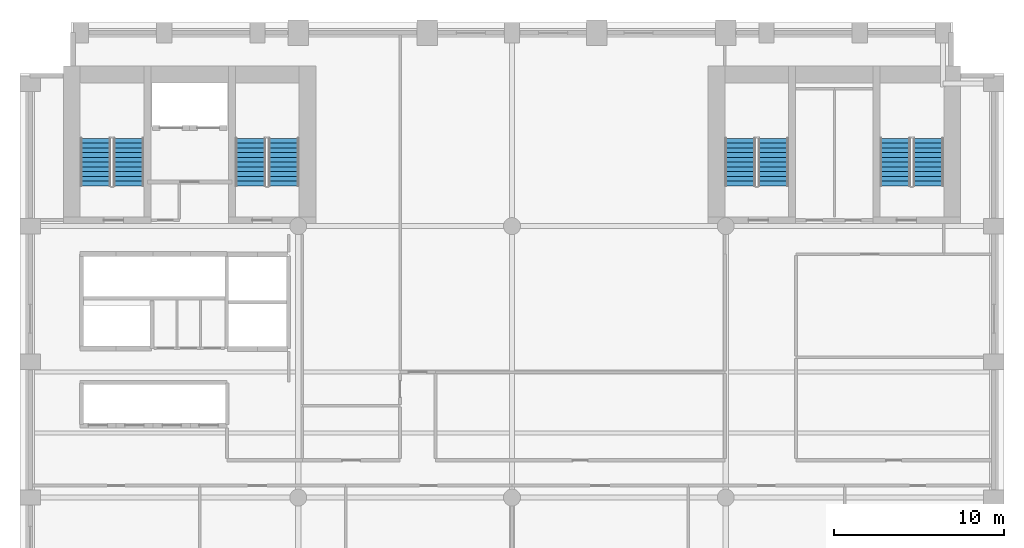
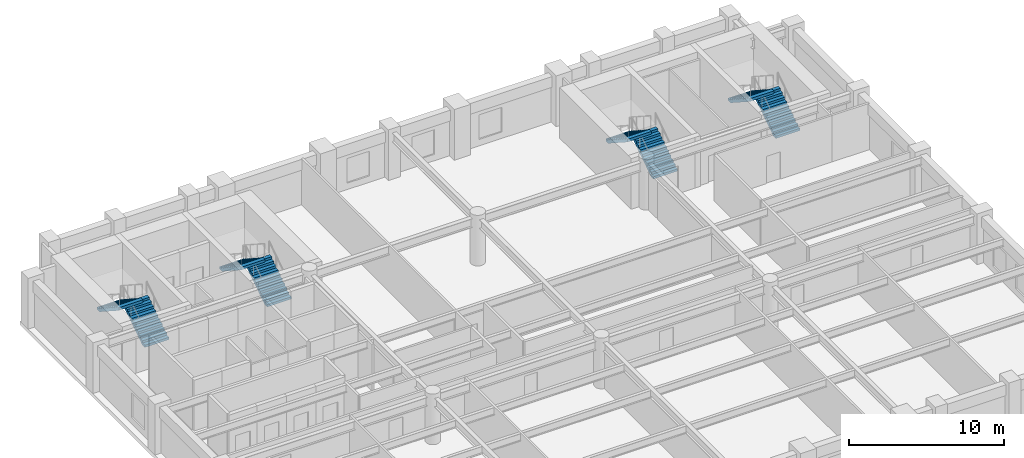
# One storey, part 6 of 8: 8 stair flights, 4 elements without a shape of their own.
"""IFC4 building model written with IfcOpenShell, lengths in metres."""

from ifc_helpers import new_model, si_unit, direction, frame, origin, place, context, subcontext, project, spatial, polyline, outline, extrude, material, type_object, element, aggregate, save


model = new_model("IFC4")

# Units and contexts
model_context = context("Model", 3, precision=1e-05, world=origin(), true_north=direction((0.0, 1.0)))
body_context = subcontext(model_context, "Body", "Model", "MODEL_VIEW")
ifc_project = project(units=[si_unit("LENGTHUNIT", "METRE"), si_unit("AREAUNIT", "SQUARE_METRE"), si_unit("VOLUMEUNIT", "CUBIC_METRE"), si_unit("PLANEANGLEUNIT", "RADIAN"), si_unit("MASSUNIT", "GRAM", prefix="KILO")], contexts=[model_context])

# Site, building, storey
site_placement = place(None, origin())
site = spatial("IfcSite", under=ifc_project, at=site_placement, CompositionType="ELEMENT")
building_placement = place(site_placement, origin())
building = spatial("IfcBuilding", under=site, at=building_placement, Name="Sulina Concourse Tower", CompositionType="ELEMENT")
storey_placement = place(building_placement, frame((0.0, 0.0, 78.60009765625)))
storey = spatial("IfcBuildingStorey", under=building, at=storey_placement, Name="L19", CompositionType="ELEMENT", Elevation=78.60009765625)

# Stair, stair flights
ifc_material_1 = material(Name="Concrete C50/60", Category="concrete")
stair_type_1 = type_object("IfcStairType", Name="Portal & Podium Core Exit Stair 1820mm", PredefinedType="HALF_TURN_STAIR", material=ifc_material_1)
stair_1_placement = place(storey_placement, origin())
stair_1 = element("IfcStair", 1, at=stair_1_placement, inside=storey, type_object=stair_type_1, Name="L19 ST-3", PredefinedType="HALF_TURN_STAIR")
ifc_material_2 = material(Name="Concrete C50/60", Category="concrete")
stair_flight_type_1 = type_object("IfcStairFlightType", Name="Portal & Podium Core Exit Stair 1820mm Flight", PredefinedType="STRAIGHT", material=ifc_material_2)
stair_flight_1_placement = place(storey_placement, frame((44.405029296875, 36.375, 0.0), z_axis=(0.0, 0.0, 1.0), x_axis=(0.0, 1.0, 0.0)))
stair_flight_1 = element("IfcStairFlight", 2, at=stair_flight_1_placement, type_object=stair_flight_type_1, Name="ST-3 flight 1", NumberOfRisers=11, NumberOfTreads=10, PredefinedType="STRAIGHT", RiserHeight=0.181818182, TreadLength=0.28, context=body_context, shape_type="SweptSolid", body=[
    extrude(outline(polyline([(0.0, 0.0), (0.0, 0.181884765625), (0.280029296875, 0.181884765625), (0.280029296875, 0.363525390625), (0.56005859375, 0.363525390625), (0.56005859375, 0.54541015625), (0.840087890625, 0.54541015625), (0.840087890625, 0.727294921875), (1.1201171875, 0.727294921875), (1.1201171875, 0.9091796875), (1.39990234375, 0.9091796875), (1.39990234375, 1.0908203125), (1.679931640625, 1.0908203125), (1.679931640625, 1.272705078125), (1.9599609375, 1.272705078125), (1.9599609375, 1.45458984375), (2.239990234375, 1.45458984375), (2.239990234375, 1.636474609375), (2.52001953125, 1.636474609375), (2.52001953125, 1.818115234375), (2.800048828125, 1.818115234375), (2.800048828125, 2.0), (2.800048828125, 1.603759765625), (0.330322265625, 0.0), (0.0, 0.0)])), frame((0.0, 0.89990234375, 0.0), z_axis=(0.0, -1.0, 0.0), x_axis=(1.0, 0.0, 0.0)), (0.0, 0.0, 1.0), 1.800048828125),
])
stair_flight_2_placement = place(storey_placement, frame((42.455078125, 39.175048828125, 2.0), z_axis=(0.0, 0.0, 1.0), x_axis=(0.0, -1.0, 0.0)))
stair_flight_2 = element("IfcStairFlight", 3, at=stair_flight_2_placement, type_object=stair_flight_type_1, Name="ST-3 flight 2", NumberOfRisers=11, NumberOfTreads=10, PredefinedType="STRAIGHT", RiserHeight=0.181818182, TreadLength=0.28, context=body_context, shape_type="SweptSolid", body=[
    extrude(outline(polyline([(0.0, 0.0), (0.0, 0.181884765625), (0.280029296875, 0.181884765625), (0.280029296875, 0.363525390625), (0.56005859375, 0.363525390625), (0.56005859375, 0.54541015625), (0.840087890625, 0.54541015625), (0.840087890625, 0.727294921875), (1.1201171875, 0.727294921875), (1.1201171875, 0.9091796875), (1.39990234375, 0.9091796875), (1.39990234375, 1.0908203125), (1.679931640625, 1.0908203125), (1.679931640625, 1.272705078125), (1.9599609375, 1.272705078125), (1.9599609375, 1.45458984375), (2.239990234375, 1.45458984375), (2.239990234375, 1.636474609375), (2.52001953125, 1.636474609375), (2.52001953125, 1.818115234375), (2.800048828125, 1.818115234375), (2.800048828125, 2.0), (2.800048828125, 1.603759765625), (0.330322265625, 0.0), (0.0, 0.0)])), frame((0.0, 0.89990234375, 0.0), z_axis=(0.0, -1.0, 0.0), x_axis=(1.0, 0.0, 0.0)), (0.0, 0.0, 1.0), 1.800048828125),
])
aggregate(stair_1, [stair_flight_1, stair_flight_2])

stair_2_placement = place(storey_placement, origin())
stair_2 = element("IfcStair", 4, at=stair_2_placement, inside=storey, type_object=stair_type_1, Name="L19 ST-4", PredefinedType="HALF_TURN_STAIR")
stair_flight_3_placement = place(storey_placement, frame((53.544921875, 36.375, 0.0), z_axis=(0.0, 0.0, 1.0), x_axis=(0.0, 1.0, 0.0)))
stair_flight_3 = element("IfcStairFlight", 5, at=stair_flight_3_placement, type_object=stair_flight_type_1, Name="ST-4 flight 1", NumberOfRisers=11, NumberOfTreads=10, PredefinedType="STRAIGHT", RiserHeight=0.181818182, TreadLength=0.28, context=body_context, shape_type="SweptSolid", body=[
    extrude(outline(polyline([(0.0, 0.0), (0.0, 0.181884765625), (0.280029296875, 0.181884765625), (0.280029296875, 0.363525390625), (0.56005859375, 0.363525390625), (0.56005859375, 0.54541015625), (0.840087890625, 0.54541015625), (0.840087890625, 0.727294921875), (1.1201171875, 0.727294921875), (1.1201171875, 0.9091796875), (1.39990234375, 0.9091796875), (1.39990234375, 1.0908203125), (1.679931640625, 1.0908203125), (1.679931640625, 1.272705078125), (1.9599609375, 1.272705078125), (1.9599609375, 1.45458984375), (2.239990234375, 1.45458984375), (2.239990234375, 1.636474609375), (2.52001953125, 1.636474609375), (2.52001953125, 1.818115234375), (2.800048828125, 1.818115234375), (2.800048828125, 2.0), (2.800048828125, 1.603759765625), (0.330322265625, 0.0), (0.0, 0.0)])), frame((0.0, 0.89990234375, 0.0), z_axis=(0.0, -1.0, 0.0), x_axis=(1.0, 0.0, 0.0)), (0.0, 0.0, 1.0), 1.800048828125),
])
stair_flight_4_placement = place(storey_placement, frame((51.594970703125, 39.175048828125, 2.0), z_axis=(0.0, 0.0, 1.0), x_axis=(0.0, -1.0, 0.0)))
stair_flight_4 = element("IfcStairFlight", 6, at=stair_flight_4_placement, type_object=stair_flight_type_1, Name="ST-4 flight 2", NumberOfRisers=11, NumberOfTreads=10, PredefinedType="STRAIGHT", RiserHeight=0.181818182, TreadLength=0.28, context=body_context, shape_type="SweptSolid", body=[
    extrude(outline(polyline([(0.0, 0.0), (0.0, 0.181884765625), (0.280029296875, 0.181884765625), (0.280029296875, 0.363525390625), (0.56005859375, 0.363525390625), (0.56005859375, 0.54541015625), (0.840087890625, 0.54541015625), (0.840087890625, 0.727294921875), (1.1201171875, 0.727294921875), (1.1201171875, 0.9091796875), (1.39990234375, 0.9091796875), (1.39990234375, 1.0908203125), (1.679931640625, 1.0908203125), (1.679931640625, 1.272705078125), (1.9599609375, 1.272705078125), (1.9599609375, 1.45458984375), (2.239990234375, 1.45458984375), (2.239990234375, 1.636474609375), (2.52001953125, 1.636474609375), (2.52001953125, 1.818115234375), (2.800048828125, 1.818115234375), (2.800048828125, 2.0), (2.800048828125, 1.603759765625), (0.330322265625, 0.0), (0.0, 0.0)])), frame((0.0, 0.89990234375, 0.0), z_axis=(0.0, -1.0, 0.0), x_axis=(1.0, 0.0, 0.0)), (0.0, 0.0, 1.0), 1.800048828125),
])
aggregate(stair_2, [stair_flight_3, stair_flight_4])

ifc_material_3 = material(Name="Concrete C50/60", Category="concrete")
stair_type_2 = type_object("IfcStairType", Name="Primary Core Dog-Leg Exit Stair 1800mm", PredefinedType="HALF_TURN_STAIR", material=ifc_material_3)
stair_3_placement = place(storey_placement, origin())
stair_3 = element("IfcStair", 7, at=stair_3_placement, inside=storey, type_object=stair_type_2, Name="L19 ST-1", PredefinedType="HALF_TURN_STAIR")
ifc_material_4 = material(Name="Concrete C50/60", Category="concrete")
stair_flight_type_2 = type_object("IfcStairFlightType", Name="Primary Core Dog-Leg Exit Stair 1800mm Flight", PredefinedType="STRAIGHT", material=ifc_material_4)
stair_flight_5_placement = place(storey_placement, frame((6.405029296875, 36.375, 0.0), z_axis=(0.0, 0.0, 1.0), x_axis=(0.0, 1.0, 0.0)))
stair_flight_5 = element("IfcStairFlight", 8, at=stair_flight_5_placement, type_object=stair_flight_type_2, Name="ST-1 flight 1", NumberOfRisers=11, NumberOfTreads=10, PredefinedType="STRAIGHT", RiserHeight=0.181818182, TreadLength=0.28, context=body_context, shape_type="SweptSolid", body=[
    extrude(outline(polyline([(0.0, 0.0), (0.0, 0.181884765625), (0.280029296875, 0.181884765625), (0.280029296875, 0.363525390625), (0.56005859375, 0.363525390625), (0.56005859375, 0.54541015625), (0.840087890625, 0.54541015625), (0.840087890625, 0.727294921875), (1.1201171875, 0.727294921875), (1.1201171875, 0.9091796875), (1.39990234375, 0.9091796875), (1.39990234375, 1.0908203125), (1.679931640625, 1.0908203125), (1.679931640625, 1.272705078125), (1.9599609375, 1.272705078125), (1.9599609375, 1.45458984375), (2.239990234375, 1.45458984375), (2.239990234375, 1.636474609375), (2.52001953125, 1.636474609375), (2.52001953125, 1.818115234375), (2.800048828125, 1.818115234375), (2.800048828125, 2.0), (2.800048828125, 1.603759765625), (0.330322265625, 0.0), (0.0, 0.0)])), frame((0.0, 0.89990234375, 0.0), z_axis=(0.0, -1.0, 0.0), x_axis=(1.0, 0.0, 0.0)), (0.0, 0.0, 1.0), 1.800048828125),
])
stair_flight_6_placement = place(storey_placement, frame((4.455078125, 39.175048828125, 2.0), z_axis=(0.0, 0.0, 1.0), x_axis=(0.0, -1.0, 0.0)))
stair_flight_6 = element("IfcStairFlight", 9, at=stair_flight_6_placement, type_object=stair_flight_type_2, Name="ST-1 flight 2", NumberOfRisers=11, NumberOfTreads=10, PredefinedType="STRAIGHT", RiserHeight=0.181818182, TreadLength=0.28, context=body_context, shape_type="SweptSolid", body=[
    extrude(outline(polyline([(0.0, 0.0), (0.0, 0.181884765625), (0.280029296875, 0.181884765625), (0.280029296875, 0.363525390625), (0.56005859375, 0.363525390625), (0.56005859375, 0.54541015625), (0.840087890625, 0.54541015625), (0.840087890625, 0.727294921875), (1.1201171875, 0.727294921875), (1.1201171875, 0.9091796875), (1.39990234375, 0.9091796875), (1.39990234375, 1.0908203125), (1.679931640625, 1.0908203125), (1.679931640625, 1.272705078125), (1.9599609375, 1.272705078125), (1.9599609375, 1.45458984375), (2.239990234375, 1.45458984375), (2.239990234375, 1.636474609375), (2.52001953125, 1.636474609375), (2.52001953125, 1.818115234375), (2.800048828125, 1.818115234375), (2.800048828125, 2.0), (2.800048828125, 1.603759765625), (0.330322265625, 0.0), (0.0, 0.0)])), frame((0.0, 0.89990234375, 0.0), z_axis=(0.0, -1.0, 0.0), x_axis=(1.0, 0.0, 0.0)), (0.0, 0.0, 1.0), 1.800048828125),
])
aggregate(stair_3, [stair_flight_5, stair_flight_6])

stair_4_placement = place(storey_placement, origin())
stair_4 = element("IfcStair", 10, at=stair_4_placement, inside=storey, type_object=stair_type_2, Name="L19 ST-2", PredefinedType="HALF_TURN_STAIR")
stair_flight_7_placement = place(storey_placement, frame((15.544921875, 36.375, 0.0), z_axis=(0.0, 0.0, 1.0), x_axis=(0.0, 1.0, 0.0)))
stair_flight_7 = element("IfcStairFlight", 11, at=stair_flight_7_placement, type_object=stair_flight_type_2, Name="ST-2 flight 1", NumberOfRisers=11, NumberOfTreads=10, PredefinedType="STRAIGHT", RiserHeight=0.181818182, TreadLength=0.28, context=body_context, shape_type="SweptSolid", body=[
    extrude(outline(polyline([(0.0, 0.0), (0.0, 0.181884765625), (0.280029296875, 0.181884765625), (0.280029296875, 0.363525390625), (0.56005859375, 0.363525390625), (0.56005859375, 0.54541015625), (0.840087890625, 0.54541015625), (0.840087890625, 0.727294921875), (1.1201171875, 0.727294921875), (1.1201171875, 0.9091796875), (1.39990234375, 0.9091796875), (1.39990234375, 1.0908203125), (1.679931640625, 1.0908203125), (1.679931640625, 1.272705078125), (1.9599609375, 1.272705078125), (1.9599609375, 1.45458984375), (2.239990234375, 1.45458984375), (2.239990234375, 1.636474609375), (2.52001953125, 1.636474609375), (2.52001953125, 1.818115234375), (2.800048828125, 1.818115234375), (2.800048828125, 2.0), (2.800048828125, 1.603759765625), (0.330322265625, 0.0), (0.0, 0.0)])), frame((0.0, 0.89990234375, 0.0), z_axis=(0.0, -1.0, 0.0), x_axis=(1.0, 0.0, 0.0)), (0.0, 0.0, 1.0), 1.800048828125),
])
stair_flight_8_placement = place(storey_placement, frame((13.594970703125, 39.175048828125, 2.0), z_axis=(0.0, 0.0, 1.0), x_axis=(0.0, -1.0, 0.0)))
stair_flight_8 = element("IfcStairFlight", 12, at=stair_flight_8_placement, type_object=stair_flight_type_2, Name="ST-2 flight 2", NumberOfRisers=11, NumberOfTreads=10, PredefinedType="STRAIGHT", RiserHeight=0.181818182, TreadLength=0.28, context=body_context, shape_type="SweptSolid", body=[
    extrude(outline(polyline([(0.0, 0.0), (0.0, 0.181884765625), (0.280029296875, 0.181884765625), (0.280029296875, 0.363525390625), (0.56005859375, 0.363525390625), (0.56005859375, 0.54541015625), (0.840087890625, 0.54541015625), (0.840087890625, 0.727294921875), (1.1201171875, 0.727294921875), (1.1201171875, 0.9091796875), (1.39990234375, 0.9091796875), (1.39990234375, 1.0908203125), (1.679931640625, 1.0908203125), (1.679931640625, 1.272705078125), (1.9599609375, 1.272705078125), (1.9599609375, 1.45458984375), (2.239990234375, 1.45458984375), (2.239990234375, 1.636474609375), (2.52001953125, 1.636474609375), (2.52001953125, 1.818115234375), (2.800048828125, 1.818115234375), (2.800048828125, 2.0), (2.800048828125, 1.603759765625), (0.330322265625, 0.0), (0.0, 0.0)])), frame((0.0, 0.89990234375, 0.0), z_axis=(0.0, -1.0, 0.0), x_axis=(1.0, 0.0, 0.0)), (0.0, 0.0, 1.0), 1.800048828125),
])
aggregate(stair_4, [stair_flight_7, stair_flight_8])

save(model, "model.ifc")
